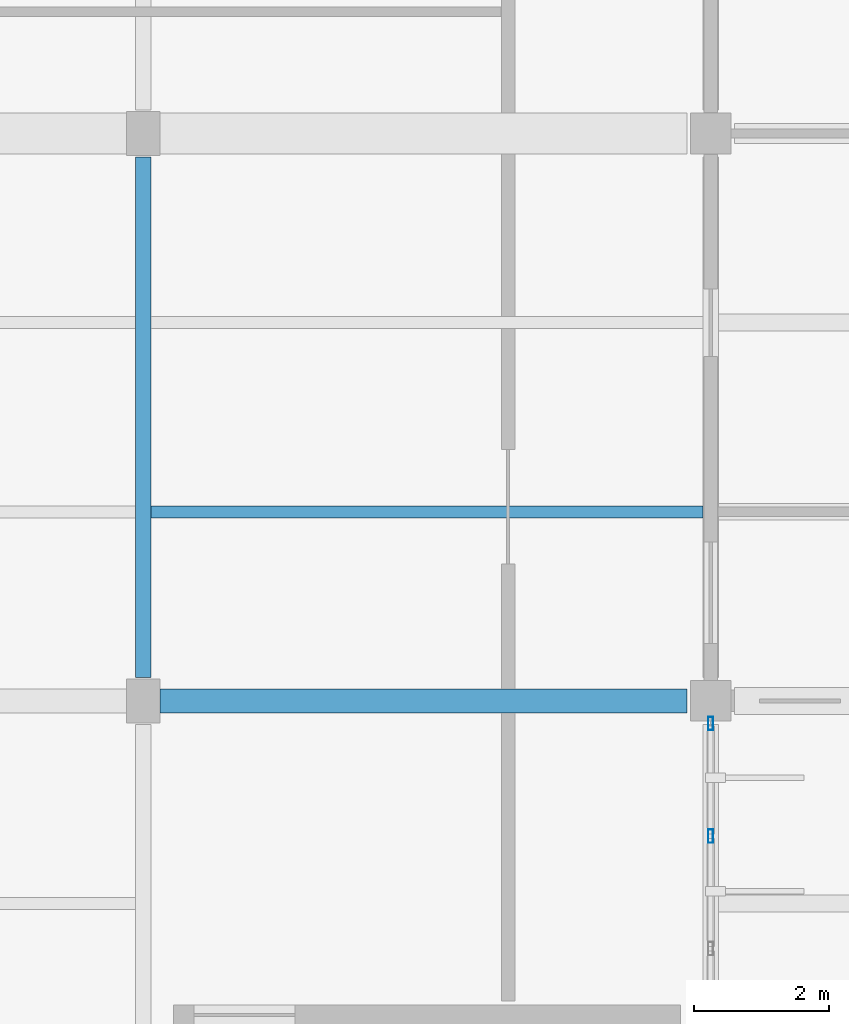
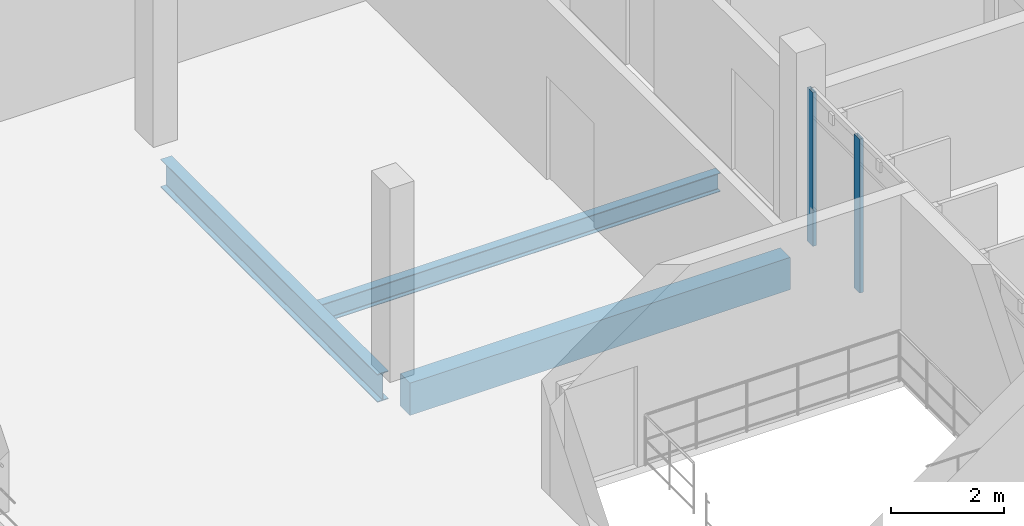
# One storey, part 10 of 101: 3 beams, 2 members, 1 element without a shape of its own.
"""IFC4 building model written with IfcOpenShell, lengths in metres."""

from ifc_helpers import new_model, si_unit, direction, frame, origin, origin_2d, place, context, subcontext, project, spatial, rectangle, hollow_rectangle, i_section, extrude, material, layer, layer_set, material_profile, profile_set, type_object, element, aggregate, save


model = new_model("IFC4")

# Units and contexts
model_context = context("Model", 3, precision=1e-05, world=origin(), true_north=direction((0.0, 1.0)))
body_context = subcontext(model_context, "Body", "Model", "MODEL_VIEW")
ifc_project = project(units=[si_unit("LENGTHUNIT", "METRE"), si_unit("AREAUNIT", "SQUARE_METRE"), si_unit("VOLUMEUNIT", "CUBIC_METRE"), si_unit("PLANEANGLEUNIT", "RADIAN"), si_unit("MASSUNIT", "GRAM", prefix="KILO")], contexts=[model_context])

# Site, building, storey
site_placement = place(None, origin())
site = spatial("IfcSite", under=ifc_project, at=site_placement, CompositionType="ELEMENT")
building_placement = place(site_placement, origin())
building = spatial("IfcBuilding", under=site, at=building_placement, Name="Vireocrest Preparatory School", CompositionType="ELEMENT")
storey_placement = place(building_placement, frame((0.0, 0.0, 4.800048828125)))
storey = spatial("IfcBuildingStorey", under=building, at=storey_placement, Name="L01", CompositionType="ELEMENT", Elevation=4.800048828125)

# Curtain wall, members
ifc_material_1 = material(Name="Thermally broken aluminium EN AW-6063-T6", Category="aluminium")
ifc_layer = layer(ifc_material_1, 0.179931640625)
ifc_layer_set = layer_set([ifc_layer], Name="Thermally broken aluminium EN AW-6063-T6")
curtain_wall_type = type_object("IfcCurtainWallType", Name="Side Facade Curtain Wall 9000x4200", PredefinedType="USERDEFINED", material=ifc_layer_set)
curtain_wall_placement = place(storey_placement, origin())
curtain_wall = element("IfcCurtainWall", 1, at=curtain_wall_placement, inside=storey, type_object=curtain_wall_type, Name="Curtain Wall CW07 CW_L01_CW07_0420_0183_048", ObjectType="CURTAIN WALL", PredefinedType="USERDEFINED")
ifc_material_profile_1 = material_profile(ifc_material_1, hollow_rectangle(XDim=0.074951171875, YDim=0.199951171875, WallThickness=0.0048828125, at=origin_2d()), Name="ALU 75x200x5")
ifc_profile_set_1 = profile_set([ifc_material_profile_1], Name="Thermally broken aluminium EN AW-6063-T6")
member_type = type_object("IfcMemberType", Name="CW Mullion 75x200x5", PredefinedType="MULLION", material=ifc_profile_set_1)
member_1_placement = place(storey_placement, frame((42.0, 24.9990234375, 0.0), z_axis=(0.0, 0.0, 1.0), x_axis=(1.0, 0.0, 0.0)))
member_1 = element("IfcMember", 2, at=member_1_placement, type_object=member_type, Name="CW Mullion ML3 CW_L01_CW07_0420_0183_048-5", PredefinedType="MULLION", context=body_context, shape_type="SweptSolid", body=[
    extrude(hollow_rectangle(XDim=0.074951171875, YDim=0.199951171875, WallThickness=0.0048828125, at=origin_2d()), origin(), (0.0, 0.0, 1.0), 3.3369140625),
])
member_2_placement = place(storey_placement, frame((42.0, 26.6650390625, 0.0), z_axis=(0.0, 0.0, 1.0), x_axis=(1.0, 0.0, 0.0)))
member_2 = element("IfcMember", 3, at=member_2_placement, type_object=member_type, Name="CW Mullion ML3 CW_L01_CW07_0420_0183_048-6", PredefinedType="MULLION", context=body_context, shape_type="SweptSolid", body=[
    extrude(hollow_rectangle(XDim=0.074951171875, YDim=0.199951171875, WallThickness=0.0048828125, at=origin_2d()), origin(), (0.0, 0.0, 1.0), 3.3369140625),
])
aggregate(curtain_wall, [member_1, member_2])

# Beams
ifc_material_2 = material(Name="Structural steel ASTM A992 Grade 50", Category="steel")
ifc_material_profile_2 = material_profile(ifc_material_2, i_section(OverallWidth=0.177978515625, OverallDepth=0.406005859375, WebThickness=0.0078125, FlangeThickness=0.0126953125, FilletRadius=0.012939453125, at=origin_2d()), Name="W16X40")
ifc_profile_set_2 = profile_set([ifc_material_profile_2], Name="Structural steel ASTM A992 Grade 50")
beam_type_1 = type_object("IfcBeamType", Name="Gallery Secondary Joist W16X40", PredefinedType="JOIST", material=ifc_profile_set_2)
beam_1_placement = place(storey_placement, frame((33.714111328125, 29.800048828125, -0.483154296875), z_axis=(1.0, 0.0, 0.0), x_axis=(0.0, 1.0, 0.0)))
element("IfcBeam", 4, at=beam_1_placement, inside=storey, type_object=beam_type_1, Name="Secondary Joist SJ3 L01-0500", PredefinedType="JOIST", context=body_context, shape_type="SweptSolid", body=[
    extrude(i_section(OverallWidth=0.177978515625, OverallDepth=0.406005859375, WebThickness=0.0078125, FlangeThickness=0.0126953125, FilletRadius=0.012939453125, at=origin_2d()), origin(), (0.0, 0.0, 1.0), 8.171875),
])
ifc_material_profile_3 = material_profile(ifc_material_2, i_section(OverallWidth=0.22802734375, OverallDepth=0.60791015625, WebThickness=0.01123046875, FlangeThickness=0.017333984375, FilletRadius=0.01611328125, at=origin_2d()), Name="W24X76")
ifc_profile_set_3 = profile_set([ifc_material_profile_3], Name="Structural steel ASTM A992 Grade 50")
beam_type_2 = type_object("IfcBeamType", Name="Gallery Steel Girder W24X76", PredefinedType="BEAM", material=ifc_profile_set_3)
beam_2_placement = place(storey_placement, frame((33.60009765625, 27.35009765625, -0.583984375), z_axis=(0.0, 1.0, 0.0), x_axis=(-1.0, 0.0, 0.0)))
element("IfcBeam", 5, at=beam_2_placement, inside=storey, type_object=beam_type_2, Name="Primary Girder SB3 L01-0376", PredefinedType="BEAM", context=body_context, shape_type="SweptSolid", body=[
    extrude(i_section(OverallWidth=0.22802734375, OverallDepth=0.60791015625, WebThickness=0.01123046875, FlangeThickness=0.017333984375, FilletRadius=0.01611328125, at=origin_2d()), origin(), (0.0, 0.0, 1.0), 7.699951171875),
])
ifc_material_3 = material(Name="Concrete 40 MPa", Category="concrete")
ifc_material_profile_4 = material_profile(ifc_material_3, rectangle(XDim=0.35009765625, YDim=0.699951171875, at=origin_2d()), Name="RC 350x700")
ifc_profile_set_4 = profile_set([ifc_material_profile_4], Name="Concrete 40 MPa")
beam_type_3 = type_object("IfcBeamType", Name="RC Laboratory Girder 350x700", PredefinedType="BEAM", material=ifc_profile_set_4)
beam_3_placement = place(storey_placement, frame((33.85009765625, 27.0, -0.630126953125), z_axis=(1.0, 0.0, 0.0), x_axis=(0.0, 1.0, 0.0)))
element("IfcBeam", 6, at=beam_3_placement, inside=storey, type_object=beam_type_3, Name="Primary Girder B06 L01-0274", PredefinedType="BEAM", context=body_context, shape_type="SweptSolid", body=[
    extrude(rectangle(XDim=0.35009765625, YDim=0.699951171875, at=origin_2d()), origin(), (0.0, 0.0, 1.0), 7.7998046875),
])

save(model, "model.ifc")
